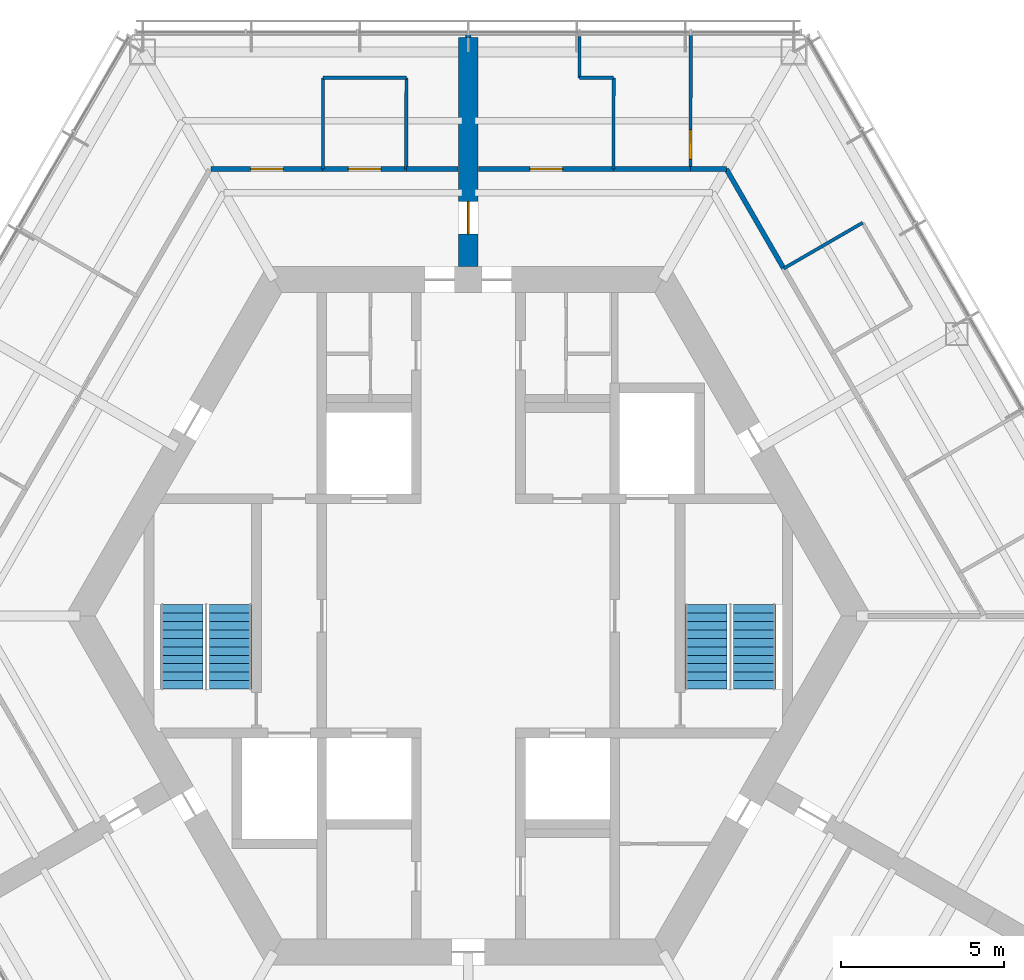
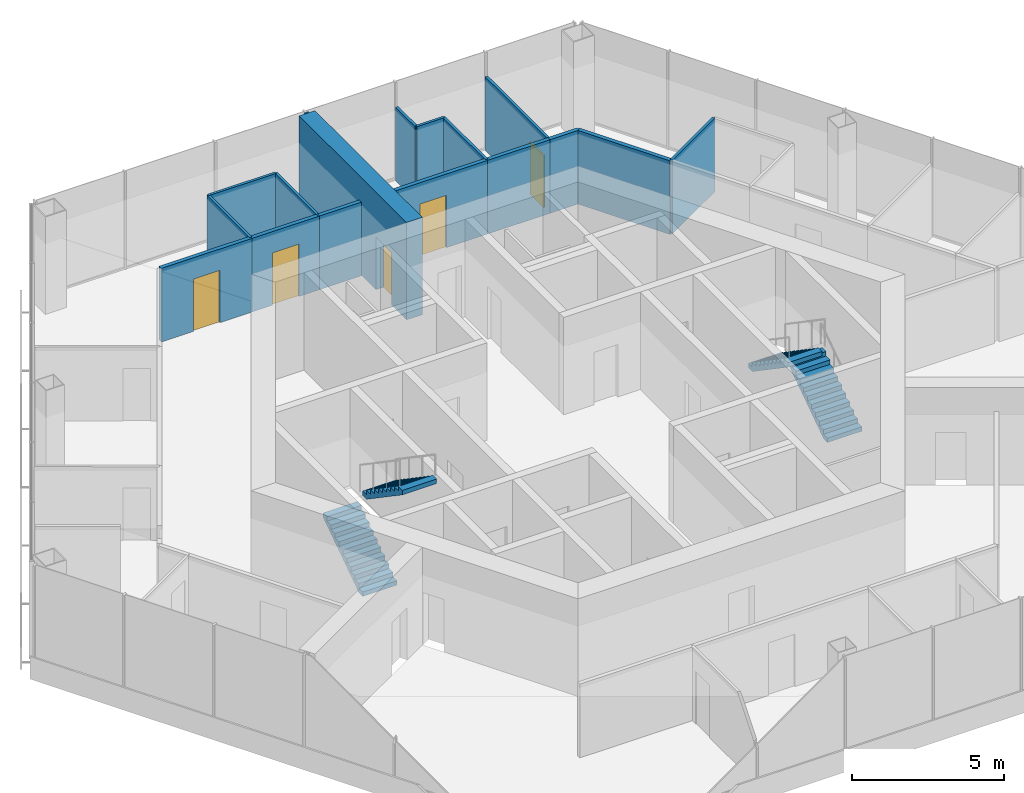
# One storey, part 10 of 13: 17 walls, 5 doors, 4 stair flights, 5 openings, 2 elements without a shape of their own.
"""IFC4 building model written with IfcOpenShell, lengths in metres."""

import ifcopenshell
import ifcopenshell.guid

model = None  # the IFC model being written
_history = None  # IfcOwnerHistory: only IFC2X3 demands one
_inside = {}  # id of a spatial element -> (the spatial element, [elements in it])
_under = {}  # id of a project, library or spatial element -> (it, [spatial elements below it])
_declared = {}  # id of a project -> (the project, [libraries it declares])
_typed = {}  # id of a type object -> (the type object, [elements of that type])
_made_of = {}  # id of a material, layer set ... -> (it, [elements and type objects made of it])


def new_model(schema):
    """Start an empty IFC model of exactly this schema.

    Asked for "IFC4X3", IfcOpenShell would pick the latest addendum, in which some entities
    have other attributes; the version numbers below select the first issue.
    IFC2X3 requires an IfcOwnerHistory on every rooted entity: one is made here for all.
    """
    global model, _history
    if schema == "IFC4X3":
        model = ifcopenshell.file(schema_version=(4, 3, 0, 0))
    else:
        model = ifcopenshell.file(schema=schema)
    _inside.clear()
    _under.clear()
    _declared.clear()
    _typed.clear()
    _made_of.clear()
    _history = None
    if model.schema == "IFC2X3":
        org = make("IfcOrganization", Name="unknown")
        user = make(
            "IfcPersonAndOrganization",
            ThePerson=make("IfcPerson", FamilyName="unknown"),
            TheOrganization=org,
        )
        app = make(
            "IfcApplication",
            ApplicationDeveloper=org,
            Version="unknown",
            ApplicationFullName="unknown",
            ApplicationIdentifier="unknown",
        )
        _history = make(
            "IfcOwnerHistory",
            OwningUser=user,
            OwningApplication=app,
            ChangeAction="ADDED",
            CreationDate=0,
        )
    return model


def make(cls, **values):
    """One entity of the class cls with the attributes given. An attribute that is None is left unset."""
    return model.create_entity(
        cls, **{name: value for name, value in values.items() if value is not None}
    )


def rooted(cls, **values):
    """An entity with a GlobalId (a new one), such as an element, a storey or a relation."""
    return make(cls, GlobalId=ifcopenshell.guid.new(), OwnerHistory=_history, **values)


def si_unit(unit_type, name, prefix=None):
    """IfcSIUnit, for example si_unit("LENGTHUNIT", "METRE", prefix="MILLI")."""
    return make("IfcSIUnit", UnitType=unit_type, Prefix=prefix, Name=name)


def assignment(units):
    """IfcUnitAssignment: the units of a project."""
    return None if units is None else make("IfcUnitAssignment", Units=units)


def point(xyz):
    """IfcCartesianPoint."""
    return None if xyz is None else make("IfcCartesianPoint", Coordinates=xyz)


def direction(xyz):
    """IfcDirection."""
    return None if xyz is None else make("IfcDirection", DirectionRatios=xyz)


def frame(location, z_axis=None, x_axis=None):
    """IfcAxis2Placement3D, a coordinate frame: its origin and axes. An axis left out is left unset."""
    return make(
        "IfcAxis2Placement3D",
        Location=point(location),
        Axis=direction(z_axis),
        RefDirection=direction(x_axis),
    )


def frame_2d(location, x_axis=None):
    """IfcAxis2Placement2D, a coordinate frame in the plane: its origin and x axis."""
    return make(
        "IfcAxis2Placement2D", Location=point(location), RefDirection=direction(x_axis)
    )


def origin():
    """The frame at (0, 0, 0) with its axes left unset."""
    return frame((0.0, 0.0, 0.0))


def place(relative_to, where):
    """IfcLocalPlacement: puts the frame where relative to a parent placement (None: the world)."""
    return make(
        "IfcLocalPlacement", PlacementRelTo=relative_to, RelativePlacement=where
    )


def context(
    kind, dimensions, precision=None, world=None, true_north=None, identifier=None
):
    """IfcGeometricRepresentationContext, for example the 3D "Model" context."""
    return make(
        "IfcGeometricRepresentationContext",
        ContextIdentifier=identifier,
        ContextType=kind,
        CoordinateSpaceDimension=dimensions,
        Precision=precision,
        WorldCoordinateSystem=world,
        TrueNorth=true_north,
    )


def subcontext(parent, identifier, kind, view, scale=None):
    """IfcGeometricRepresentationSubContext, for example "Body" below "Model"."""
    return make(
        "IfcGeometricRepresentationSubContext",
        ContextIdentifier=identifier,
        ContextType=kind,
        ParentContext=parent,
        TargetScale=scale,
        TargetView=view,
    )


def project(units=None, contexts=None):
    """IfcProject with its units and contexts."""
    return rooted(
        "IfcProject",
        Name="project",
        RepresentationContexts=contexts,
        UnitsInContext=assignment(units),
    )


def spatial(cls, under=None, at=None, **own):
    """A site, building, storey or space (cls), placed at a placement, below another one or the project."""
    s = rooted(cls, ObjectPlacement=at, **own)
    if under is not None:
        _under.setdefault(under.id(), (under, []))[1].append(s)
    return s


def polyline(points):
    """IfcPolyline through the points."""
    return make("IfcPolyline", Points=[point(p) for p in points])


def profile(cls, at=None, kind="AREA", **sizes):
    """A parametric profile (cls). Its sizes go by their IFC names, for example OverallWidth=200.0."""
    return make(cls, ProfileType=kind, Position=at, **sizes)


def rectangle(**sizes):
    """IfcRectangleProfileDef."""
    return profile("IfcRectangleProfileDef", **sizes)


def outline(outer, holes=None, kind="AREA"):
    """IfcArbitraryClosedProfileDef: a profile drawn as a closed curve; with holes, ...WithVoids."""
    if holes is None:
        return make("IfcArbitraryClosedProfileDef", ProfileType=kind, OuterCurve=outer)
    return make(
        "IfcArbitraryProfileDefWithVoids",
        ProfileType=kind,
        OuterCurve=outer,
        InnerCurves=holes,
    )


def extrude(swept, where, along, depth):
    """IfcExtrudedAreaSolid: the profile swept, set in the frame where, extruded along a direction by depth."""
    return make(
        "IfcExtrudedAreaSolid",
        SweptArea=swept,
        Position=where,
        ExtrudedDirection=direction(along),
        Depth=depth,
    )


def shape(context_of_items, identifier, shape_type, items):
    """IfcShapeRepresentation: the items that make up one representation, for example the "Body"."""
    return make(
        "IfcShapeRepresentation",
        ContextOfItems=context_of_items,
        RepresentationIdentifier=identifier,
        RepresentationType=shape_type,
        Items=items,
    )


def material(Name=None, Category=None):
    """IfcMaterial."""
    return make("IfcMaterial", Name=Name, Category=Category)


def layer(
    of_material, thickness, ventilated=None, Name=None, Category=None, Priority=None
):
    """IfcMaterialLayer: one layer of a wall or slab, of a material (None: an air gap)."""
    return make(
        "IfcMaterialLayer",
        Material=of_material,
        LayerThickness=thickness,
        IsVentilated=ventilated,
        Name=Name,
        Category=Category,
        Priority=Priority,
    )


def layer_set(layers, Name=None):
    """IfcMaterialLayerSet."""
    return make("IfcMaterialLayerSet", MaterialLayers=layers, LayerSetName=Name)


def made_of(thing, what):
    """Note that an element or type object is made of a material, layer set ...; save() writes the relation."""
    if what is not None:
        _made_of.setdefault(what.id(), (what, []))[1].append(thing)
    return thing


def type_object(cls, material=None, **own):
    """A type object (cls), such as IfcWallType, which elements share."""
    return made_of(rooted(cls, **own), material)


def element(
    cls,
    number,
    at=None,
    inside=None,
    cuts=None,
    type_object=None,
    material=None,
    context=None,
    identifier="Body",
    shape_type=None,
    held_by="IfcProductDefinitionShape",
    body=None,
    shapes=None,
    **own,
):
    """One element of the class cls, such as IfcWall. Its Tag is "e" and its number.

    at: its placement. inside: the storey or other place that contains it. cuts: it is an
    opening in that element (IfcRelVoidsElement). A single representation is given by context,
    identifier, shape_type and body (its items); several are given by shapes. held_by: the class
    of the entity that holds the representations. save() writes the other relations.
    """
    e = rooted(cls, Tag="e%d" % number, ObjectPlacement=at, **own)
    if body is not None:
        shapes = [shape(context, identifier, shape_type, body)]
    if shapes is not None:
        e.Representation = make(held_by, Representations=shapes)
    if inside is not None:
        _inside.setdefault(inside.id(), (inside, []))[1].append(e)
    if cuts is not None:
        rooted(
            "IfcRelVoidsElement", RelatingBuildingElement=cuts, RelatedOpeningElement=e
        )
    if type_object is not None:
        _typed.setdefault(type_object.id(), (type_object, []))[1].append(e)
    return made_of(e, material)


def fill(opening, filler):
    """IfcRelFillsElement: the door or window that sits in an opening."""
    return rooted(
        "IfcRelFillsElement",
        RelatingOpeningElement=opening,
        RelatedBuildingElement=filler,
    )


def aggregate(whole, parts):
    """IfcRelAggregates: a whole, such as a stair, and the parts it consists of."""
    return rooted("IfcRelAggregates", RelatingObject=whole, RelatedObjects=parts)


def save(model, path):
    """Write the relations noted so far, then the file.

    IfcRelAggregates (storeys below a building ...), IfcRelContainedInSpatialStructure (elements
    in a storey), IfcRelDefinesByType, IfcRelAssociatesMaterial and IfcRelDeclares: one each for
    every whole, place, type object, material and project.
    """
    for whole, parts in _under.values():
        aggregate(whole, parts)
    for where, things in _inside.values():
        rooted(
            "IfcRelContainedInSpatialStructure",
            RelatedElements=things,
            RelatingStructure=where,
        )
    for kind, things in _typed.values():
        rooted("IfcRelDefinesByType", RelatedObjects=things, RelatingType=kind)
    for what, things in _made_of.values():
        rooted("IfcRelAssociatesMaterial", RelatedObjects=things, RelatingMaterial=what)
    for by, libraries in _declared.values():
        rooted("IfcRelDeclares", RelatingContext=by, RelatedDefinitions=libraries)
    model.write(path)


model = new_model("IFC4")

# Units and contexts
model_context = context("Model", 3, precision=1e-05, world=origin(), true_north=direction((0.0, 1.0)))
body_context = subcontext(model_context, "Body", "Model", "MODEL_VIEW")
ifc_project = project(units=[si_unit("LENGTHUNIT", "METRE"), si_unit("AREAUNIT", "SQUARE_METRE"), si_unit("VOLUMEUNIT", "CUBIC_METRE"), si_unit("PLANEANGLEUNIT", "RADIAN"), si_unit("MASSUNIT", "GRAM", prefix="KILO")], contexts=[model_context])

# Site, building, storey
site_placement = place(None, origin())
site = spatial("IfcSite", under=ifc_project, at=site_placement, CompositionType="ELEMENT")
building_placement = place(site_placement, origin())
building = spatial("IfcBuilding", under=site, at=building_placement, Name="Kasaneha Research Tower", CompositionType="ELEMENT")
storey_placement = place(building_placement, frame((0.0, 0.0, 279.10009765625)))
storey = spatial("IfcBuildingStorey", under=building, at=storey_placement, Name="L70", CompositionType="ELEMENT", Elevation=279.10009765625)

# Walls
ifc_material_1 = material(Name="Gypsum board on steel studs, one layer each side", Category="steel")
ifc_layer_1 = layer(ifc_material_1, 0.10009765625)
ifc_layer_set_1 = layer_set([ifc_layer_1], Name="Office partition 100")
wall_type_1 = type_object("IfcWallType", Name="Office partition 100", PredefinedType="PARTITIONING", material=ifc_layer_set_1)
wall_1_placement = place(storey_placement, frame((3.4150390625, 16.52490234375, 0.0), z_axis=(0.0, 0.0, 1.0), x_axis=(1.0, 0.0, 0.0)))
element("IfcWall", 1, at=wall_1_placement, inside=storey, type_object=wall_type_1, Name="Office partition FAE09 L70", PredefinedType="PARTITIONING", context=body_context, shape_type="SweptSolid", body=[
    extrude(rectangle(XDim=1.050048828125, YDim=0.10009765625, at=frame_2d((0.52490234375, 0.0))), origin(), (0.0, 0.0, 1.0), 2.949951171875),
])
wall_2_placement = place(storey_placement, frame((3.4150390625, 17.800537109375, 0.0), z_axis=(0.0, 0.0, 1.0), x_axis=(0.0, -1.0, 0.0)))
element("IfcWall", 2, at=wall_2_placement, inside=storey, type_object=wall_type_1, Name="Office partition FAE10 L70", PredefinedType="PARTITIONING", context=body_context, shape_type="SweptSolid", body=[
    extrude(rectangle(XDim=1.275634765625, YDim=0.10009765625, at=frame_2d((0.6376953125, 0.0))), origin(), (0.0, 0.0, 1.0), 2.949951171875),
])
wall_3_placement = place(storey_placement, frame((4.465087890625, 16.52490234375, 0.0), z_axis=(0.0, 0.0, 1.0), x_axis=(-0.00183117935, -0.99999832339, 0.0)))
element("IfcWall", 3, at=wall_3_placement, inside=storey, type_object=wall_type_1, Name="Office partition FAE11 L70", PredefinedType="PARTITIONING", context=body_context, shape_type="SweptSolid", body=[
    extrude(rectangle(XDim=2.7998046875, YDim=0.10009765625, at=frame_2d((1.39990234375, 0.0))), origin(), (0.0, 0.0, 1.0), 2.949951171875),
])
wall_4_placement = place(storey_placement, frame((9.6884765625, 10.669189453125, 0.0), z_axis=(0.0, 0.0, 1.0), x_axis=(0.865233198925, 0.501369635576, 0.0)))
element("IfcWall", 4, at=wall_4_placement, inside=storey, type_object=wall_type_1, Name="Office partition FAE12 L70", PredefinedType="PARTITIONING", context=body_context, shape_type="SweptSolid", body=[
    extrude(rectangle(XDim=2.800048828125, YDim=0.10009765625, at=frame_2d((1.39990234375, 0.0))), origin(), (0.0, 0.0, 1.0), 2.949951171875),
])

# Wall, opening, door
wall_5_placement = place(storey_placement, frame((6.8310546875, 17.83544921875, 0.0), z_axis=(0.0, 0.0, 1.0), x_axis=(-0.001128533375, -0.999999363206, 0.0)))
wall_5 = element("IfcWall", 5, at=wall_5_placement, inside=storey, type_object=wall_type_1, Name="Office partition FAE17 L70", PredefinedType="PARTITIONING", context=body_context, shape_type="SweptSolid", body=[
    extrude(rectangle(XDim=4.1103515625, YDim=0.10009765625, at=frame_2d((2.05517578125, 0.0))), origin(), (0.0, 0.0, 1.0), 2.949951171875),
])
opening_1_placement = place(wall_5_placement, frame((2.910400390625, 0.0, 0.0)))
opening_1 = element("IfcOpeningElement", 6, at=opening_1_placement, cuts=wall_5, Name="Opening L70-D31", PredefinedType="OPENING", context=body_context, shape_type="SweptSolid", body=[
    extrude(rectangle(XDim=0.89990234375, YDim=2.10009765625, at=frame_2d((0.449951171875, 1.050048828125))), frame((0.0, 0.06005859375, 0.0), z_axis=(0.0, -1.0, 0.0), x_axis=(1.0, 0.0, 0.0)), (0.0, 0.0, 1.0), 0.1201171875),
])
ifc_material_2 = material(Name="Timber veneer", Category="wood")
door_type_1 = type_object("IfcDoorType", Name="Office door 900x2100", OperationType="SINGLE_SWING_LEFT", PredefinedType="DOOR", material=ifc_material_2)
door_1_placement = place(opening_1_placement, origin())
door_1 = element("IfcDoor", 7, at=door_1_placement, inside=storey, type_object=door_type_1, Name="Manager's office door L70-D31", OperationType="SINGLE_SWING_RIGHT", OverallHeight=2.10009765625, OverallWidth=0.89990234375, PredefinedType="DOOR", context=body_context, shape_type="SweptSolid", body=[
    extrude(rectangle(XDim=0.89990234375, YDim=2.10009765625, at=frame_2d((0.449951171875, 1.050048828125))), frame((0.0, 0.02490234375, 0.0), z_axis=(0.0, -1.0, 0.0), x_axis=(1.0, 0.0, 0.0)), (0.0, 0.0, 1.0), 0.050048828125),
])
fill(opening_1, door_1)

# Walls
wall_6_placement = place(storey_placement, frame((-4.465087890625, 16.52490234375, 0.0), z_axis=(0.0, 0.0, 1.0), x_axis=(1.0, 0.0, 0.0)))
element("IfcWall", 8, at=wall_6_placement, inside=storey, type_object=wall_type_1, Name="Office partition FAW04 L70", PredefinedType="PARTITIONING", context=body_context, shape_type="SweptSolid", body=[
    extrude(rectangle(XDim=2.565185546875, YDim=0.10009765625, at=frame_2d((1.28271484375, 0.0))), origin(), (0.0, 0.0, 1.0), 2.949951171875),
])
for number, where, z_axis, x_axis, name in (
    (9, (-4.46044921875, 13.72509765625, 0.0), (0.0, 0.0, 1.0), (-0.001656781821, 0.999998627536, 0.0), "Office partition FAW05 L70"),
    (10, (-1.89990234375, 16.52490234375, 0.0), (0.0, 0.0, 1.0), (-0.001656781821, -0.999998627536, 0.0), "Office partition FAW06 L70"),
):
    element("IfcWall", number, at=place(storey_placement, frame(where, z_axis=z_axis, x_axis=x_axis)), inside=storey, type_object=wall_type_1, Name=name, PredefinedType="PARTITIONING", context=body_context, shape_type="SweptSolid", body=[
        extrude(rectangle(XDim=2.7998046875, YDim=0.10009765625, at=frame_2d((1.39990234375, 0.0))), origin(), (0.0, 0.0, 1.0), 2.949951171875),
    ])

# Wall, opening, door
ifc_material_3 = material(Name="Concrete Fc60", Category="concrete")
ifc_layer_2 = layer(ifc_material_3, 0.60009765625)
ifc_layer_set_2 = layer_set([ifc_layer_2], Name="Spine wall 600 Fc60")
wall_type_2 = type_object("IfcWallType", Name="Spine wall 600 Fc60", PredefinedType="SHEAR", material=ifc_layer_set_2)
wall_7_placement = place(storey_placement, frame((0.0, 10.72509765625, 0.0), z_axis=(0.0, 0.0, 1.0), x_axis=(0.0, 1.0, 0.0)))
wall_7 = element("IfcWall", 11, at=wall_7_placement, inside=storey, type_object=wall_type_2, Name="Spine wall A L70", PredefinedType="SHEAR", context=body_context, shape_type="SweptSolid", body=[
    extrude(rectangle(XDim=7.04541015625, YDim=0.60009765625, at=frame_2d((3.522705078125, 0.0))), origin(), (0.0, 0.0, 1.0), 3.89990234375),
])
opening_2_placement = place(wall_7_placement, frame((1.0, 0.0, 0.0)))
opening_2 = element("IfcOpeningElement", 12, at=opening_2_placement, cuts=wall_7, Name="Opening L70-D18", PredefinedType="OPENING", context=body_context, shape_type="SweptSolid", body=[
    extrude(rectangle(XDim=1.0, YDim=2.10009765625, at=frame_2d((0.5, 1.050048828125))), frame((0.0, 0.31005859375, 0.0), z_axis=(0.0, -1.0, 0.0), x_axis=(1.0, 0.0, 0.0)), (0.0, 0.0, 1.0), 0.6201171875),
])
ifc_material_4 = material(Name="Steel", Category="steel")
door_type_2 = type_object("IfcDoorType", Name="Specified fire door FD60 1000x2100", OperationType="NOTDEFINED", PredefinedType="DOOR", material=ifc_material_4)
door_2_placement = place(opening_2_placement, origin())
door_2 = element("IfcDoor", 13, at=door_2_placement, inside=storey, type_object=door_type_2, Name="Spine doorway A L70-D18", OperationType="SINGLE_SWING_LEFT", OverallHeight=2.10009765625, OverallWidth=1.0, PredefinedType="DOOR", context=body_context, shape_type="SweptSolid", body=[
    extrude(rectangle(XDim=1.0, YDim=2.10009765625, at=frame_2d((0.5, 1.050048828125))), frame((0.0, 0.02490234375, 0.0), z_axis=(0.0, -1.0, 0.0), x_axis=(1.0, 0.0, 0.0)), (0.0, 0.0, 1.0), 0.050048828125),
])
fill(opening_2, door_2)

ifc_material_5 = material(Name="Gypsum board on steel studs, two layers each side", Category="steel")
ifc_layer_3 = layer(ifc_material_5, 0.14990234375)
ifc_layer_set_3 = layer_set([ifc_layer_3], Name="Suite partition 150")
wall_type_3 = type_object("IfcWallType", Name="Suite partition 150", PredefinedType="PARTITIONING", material=ifc_layer_set_3)
wall_8_placement = place(storey_placement, frame((0.320068359375, 13.72509765625, 0.0), z_axis=(0.0, 0.0, 1.0), x_axis=(1.0, 0.0, 0.0)))
wall_8 = element("IfcWall", 14, at=wall_8_placement, inside=storey, type_object=wall_type_3, Name="Suite partition FAE01 L70", PredefinedType="PARTITIONING", context=body_context, shape_type="SweptSolid", body=[
    extrude(rectangle(XDim=4.14990234375, YDim=0.14990234375, at=frame_2d((2.074951171875, 0.0))), origin(), (0.0, 0.0, 1.0), 2.949951171875),
])
opening_3_placement = place(wall_8_placement, frame((1.574951171875, 0.0, 0.0)))
opening_3 = element("IfcOpeningElement", 15, at=opening_3_placement, cuts=wall_8, Name="Opening L70-D26", PredefinedType="OPENING", context=body_context, shape_type="SweptSolid", body=[
    extrude(rectangle(XDim=1.0, YDim=2.10009765625, at=frame_2d((0.5, 1.050048828125))), frame((0.0, 0.0849609375, 0.0), z_axis=(0.0, -1.0, 0.0), x_axis=(1.0, 0.0, 0.0)), (0.0, 0.0, 1.0), 0.169921875),
])
ifc_material_6 = material(Name="Steel", Category="steel")
door_type_3 = type_object("IfcDoorType", Name="Suite entrance door FD60 1000x2100", OperationType="NOTDEFINED", PredefinedType="DOOR", material=ifc_material_6)
door_3_placement = place(opening_3_placement, origin())
door_3 = element("IfcDoor", 16, at=door_3_placement, inside=storey, type_object=door_type_3, Name="Suite entrance door L70-D26", OperationType="SINGLE_SWING_RIGHT", OverallHeight=2.10009765625, OverallWidth=1.0, PredefinedType="DOOR", context=body_context, shape_type="SweptSolid", body=[
    extrude(rectangle(XDim=1.0, YDim=2.10009765625, at=frame_2d((0.5, 1.050048828125))), frame((0.0, 0.02490234375, 0.0), z_axis=(0.0, -1.0, 0.0), x_axis=(1.0, 0.0, 0.0)), (0.0, 0.0, 1.0), 0.050048828125),
])
fill(opening_3, door_3)

# Walls
wall_9_placement = place(storey_placement, frame((4.4599609375, 13.72509765625, 0.0), z_axis=(0.0, 0.0, 1.0), x_axis=(1.0, 0.0, 0.0)))
element("IfcWall", 17, at=wall_9_placement, inside=storey, type_object=wall_type_3, Name="Suite partition FAE04 L70", PredefinedType="PARTITIONING", context=body_context, shape_type="SweptSolid", body=[
    extrude(rectangle(XDim=2.3759765625, YDim=0.14990234375, at=frame_2d((1.18798828125, 0.0))), origin(), (0.0, 0.0, 1.0), 2.949951171875),
])
wall_10_placement = place(storey_placement, frame((6.826416015625, 13.72509765625, 0.0), z_axis=(0.0, 0.0, 1.0), x_axis=(1.0, 0.0, 0.0)))
element("IfcWall", 18, at=wall_10_placement, inside=storey, type_object=wall_type_3, Name="Suite partition FAE06 L70", PredefinedType="PARTITIONING", context=body_context, shape_type="SweptSolid", body=[
    extrude(rectangle(XDim=1.09765625, YDim=0.14990234375, at=frame_2d((0.548828125, 0.0))), origin(), (0.0, 0.0, 1.0), 2.949951171875),
])
wall_11_placement = place(storey_placement, frame((7.924072265625, 13.72509765625, 0.0), z_axis=(0.0, 0.0, 1.0), x_axis=(0.500015913693, -0.866016215815, 0.0)))
element("IfcWall", 19, at=wall_11_placement, inside=storey, type_object=wall_type_3, Name="Suite partition FAE07 L70", PredefinedType="PARTITIONING", context=body_context, shape_type="SweptSolid", body=[
    extrude(rectangle(XDim=3.52880859375, YDim=0.14990234375, at=frame_2d((1.764404296875, 0.0))), origin(), (0.0, 0.0, 1.0), 2.949951171875),
])

# Wall, opening, door
wall_12_placement = place(storey_placement, frame((-4.469970703125, 13.72509765625, 0.0), z_axis=(0.0, 0.0, 1.0), x_axis=(1.0, 0.0, 0.0)))
wall_12 = element("IfcWall", 20, at=wall_12_placement, inside=storey, type_object=wall_type_3, Name="Suite partition FAW01 L70", PredefinedType="PARTITIONING", context=body_context, shape_type="SweptSolid", body=[
    extrude(rectangle(XDim=2.574951171875, YDim=0.14990234375, at=frame_2d((1.28759765625, 0.0))), origin(), (0.0, 0.0, 1.0), 2.949951171875),
])
opening_4_placement = place(wall_12_placement, frame((0.78759765625, 0.0, 0.0)))
opening_4 = element("IfcOpeningElement", 21, at=opening_4_placement, cuts=wall_12, Name="Opening L70-D32", PredefinedType="OPENING", context=body_context, shape_type="SweptSolid", body=[
    extrude(rectangle(XDim=1.0, YDim=2.10009765625, at=frame_2d((0.5, 1.050048828125))), frame((0.0, 0.0849609375, 0.0), z_axis=(0.0, -1.0, 0.0), x_axis=(1.0, 0.0, 0.0)), (0.0, 0.0, 1.0), 0.169921875),
])
door_4_placement = place(opening_4_placement, origin())
door_4 = element("IfcDoor", 22, at=door_4_placement, inside=storey, type_object=door_type_3, Name="Suite entrance door L70-D32", OperationType="SINGLE_SWING_RIGHT", OverallHeight=2.10009765625, OverallWidth=1.0, PredefinedType="DOOR", context=body_context, shape_type="SweptSolid", body=[
    extrude(rectangle(XDim=1.0, YDim=2.10009765625, at=frame_2d((0.5, 1.050048828125))), frame((0.0, 0.02490234375, 0.0), z_axis=(0.0, -1.0, 0.0), x_axis=(1.0, 0.0, 0.0)), (0.0, 0.0, 1.0), 0.050048828125),
])
fill(opening_4, door_4)

wall_13_placement = place(storey_placement, frame((-7.90087890625, 13.72509765625, 0.0), z_axis=(0.0, 0.0, 1.0), x_axis=(1.0, 0.0, 0.0)))
wall_13 = element("IfcWall", 23, at=wall_13_placement, inside=storey, type_object=wall_type_3, Name="Suite partition FAW02 L70", PredefinedType="PARTITIONING", context=body_context, shape_type="SweptSolid", body=[
    extrude(rectangle(XDim=3.4404296875, YDim=0.14990234375, at=frame_2d((1.72021484375, 0.0))), origin(), (0.0, 0.0, 1.0), 2.949951171875),
])
opening_5_placement = place(wall_13_placement, frame((1.22021484375, 0.0, 0.0)))
opening_5 = element("IfcOpeningElement", 24, at=opening_5_placement, cuts=wall_13, Name="Opening L70-D33", PredefinedType="OPENING", context=body_context, shape_type="SweptSolid", body=[
    extrude(rectangle(XDim=1.0, YDim=2.10009765625, at=frame_2d((0.5, 1.050048828125))), frame((0.0, 0.0849609375, 0.0), z_axis=(0.0, -1.0, 0.0), x_axis=(1.0, 0.0, 0.0)), (0.0, 0.0, 1.0), 0.169921875),
])
door_5_placement = place(opening_5_placement, origin())
door_5 = element("IfcDoor", 25, at=door_5_placement, inside=storey, type_object=door_type_3, Name="Suite entrance door L70-D33", OperationType="SINGLE_SWING_RIGHT", OverallHeight=2.10009765625, OverallWidth=1.0, PredefinedType="DOOR", context=body_context, shape_type="SweptSolid", body=[
    extrude(rectangle(XDim=1.0, YDim=2.10009765625, at=frame_2d((0.5, 1.050048828125))), frame((0.0, 0.02490234375, 0.0), z_axis=(0.0, -1.0, 0.0), x_axis=(1.0, 0.0, 0.0)), (0.0, 0.0, 1.0), 0.050048828125),
])
fill(opening_5, door_5)

# Walls
wall_14_placement = place(storey_placement, frame((-1.904541015625, 13.72509765625, 0.0), z_axis=(0.0, 0.0, 1.0), x_axis=(1.0, 0.0, 0.0)))
element("IfcWall", 26, at=wall_14_placement, inside=storey, type_object=wall_type_3, Name="Suite partition FAW03 L70", PredefinedType="PARTITIONING", context=body_context, shape_type="SweptSolid", body=[
    extrude(rectangle(XDim=1.58447265625, YDim=0.14990234375, at=frame_2d((0.792236328125, 0.0))), origin(), (0.0, 0.0, 1.0), 2.949951171875),
])
ifc_material_7 = material(Name="Gypsum board on steel studs, two layers each side", Category="steel")
ifc_layer_4 = layer(ifc_material_7, 0.175048828125)
ifc_layer_set_4 = layer_set([ifc_layer_4], Name="Tenancy fire partition 175")
wall_type_4 = type_object("IfcWallType", Name="Tenancy fire partition 175", PredefinedType="PARTITIONING", material=ifc_layer_set_4)
wall_15_placement = place(storey_placement, frame((0.0, 17.7705078125, 0.0), z_axis=(0.0, 0.0, 1.0), x_axis=(0.0, 1.0, 0.0)))
element("IfcWall", 27, at=wall_15_placement, inside=storey, type_object=wall_type_4, Name="Spine wall closer SW4-600 L70", PredefinedType="PARTITIONING", context=body_context, shape_type="SweptSolid", body=[
    extrude(rectangle(XDim=0.06494140625, YDim=0.175048828125, at=frame_2d((0.032470703125, 0.0))), origin(), (0.0, 0.0, 1.0), 3.89990234375),
])

# Stair, stair flights
ifc_material_8 = material(Name="Concrete Fc24", Category="concrete")
stair_type = type_object("IfcStairType", Name="Half-turn stair 22 risers", PredefinedType="HALF_TURN_STAIR", material=ifc_material_8)
stair_1_placement = place(storey_placement, origin())
stair_1 = element("IfcStair", 28, at=stair_1_placement, inside=storey, type_object=stair_type, Name="Stair 1 L70", PredefinedType="HALF_TURN_STAIR")
ifc_material_9 = material(Name="Concrete Fc24", Category="concrete")
stair_flight_type = type_object("IfcStairFlightType", Name="Stair flight 11 risers 177.3", PredefinedType="STRAIGHT", material=ifc_material_9)
stair_flight_1_placement = place(storey_placement, frame((8.800048828125, -2.25, 0.0), z_axis=(0.0, 0.0, 1.0), x_axis=(0.0, 1.0, 0.0)))
stair_flight_1 = element("IfcStairFlight", 29, at=stair_flight_1_placement, type_object=stair_flight_type, Name="ST1-22R flight 1", NumberOfRisers=11, NumberOfTreads=10, PredefinedType="STRAIGHT", RiserHeight=0.177272727, TreadLength=0.26, context=body_context, shape_type="SweptSolid", body=[
    extrude(outline(polyline([(0.0, 0.0), (0.0, 0.17724609375), (0.260009765625, 0.17724609375), (0.260009765625, 0.3544921875), (0.52001953125, 0.3544921875), (0.52001953125, 0.53173828125), (0.780029296875, 0.53173828125), (0.780029296875, 0.708984375), (1.0400390625, 0.708984375), (1.0400390625, 0.886474609375), (1.300048828125, 0.886474609375), (1.300048828125, 1.063720703125), (1.56005859375, 1.063720703125), (1.56005859375, 1.240966796875), (1.820068359375, 1.240966796875), (1.820068359375, 1.418212890625), (2.080078125, 1.418212890625), (2.080078125, 1.595458984375), (2.340087890625, 1.595458984375), (2.340087890625, 1.772705078125), (2.60009765625, 1.772705078125), (2.60009765625, 1.949951171875), (2.60009765625, 1.59130859375), (0.26611328125, 0.0), (0.0, 0.0)])), frame((0.0, 0.64990234375, 0.0), z_axis=(0.0, -1.0, 0.0), x_axis=(1.0, 0.0, 0.0)), (0.0, 0.0, 1.0), 1.300048828125),
])
stair_flight_2_placement = place(storey_placement, frame((7.300048828125, 0.35009765625, 1.949951171875), z_axis=(0.0, 0.0, 1.0), x_axis=(0.0, -1.0, 0.0)))
stair_flight_2 = element("IfcStairFlight", 30, at=stair_flight_2_placement, type_object=stair_flight_type, Name="ST1-22R flight 2", NumberOfRisers=11, NumberOfTreads=10, PredefinedType="STRAIGHT", RiserHeight=0.177272727, TreadLength=0.26, context=body_context, shape_type="SweptSolid", body=[
    extrude(outline(polyline([(0.0, 0.0), (0.0, 0.17724609375), (0.260009765625, 0.17724609375), (0.260009765625, 0.3544921875), (0.52001953125, 0.3544921875), (0.52001953125, 0.53173828125), (0.780029296875, 0.53173828125), (0.780029296875, 0.708984375), (1.0400390625, 0.708984375), (1.0400390625, 0.886474609375), (1.300048828125, 0.886474609375), (1.300048828125, 1.063720703125), (1.56005859375, 1.063720703125), (1.56005859375, 1.240966796875), (1.820068359375, 1.240966796875), (1.820068359375, 1.418212890625), (2.080078125, 1.418212890625), (2.080078125, 1.595458984375), (2.340087890625, 1.595458984375), (2.340087890625, 1.772705078125), (2.60009765625, 1.772705078125), (2.60009765625, 1.949951171875), (2.60009765625, 1.59130859375), (0.26611328125, 0.0), (0.0, 0.0)])), frame((0.0, 0.64990234375, 0.0), z_axis=(0.0, -1.0, 0.0), x_axis=(1.0, 0.0, 0.0)), (0.0, 0.0, 1.0), 1.300048828125),
])
aggregate(stair_1, [stair_flight_1, stair_flight_2])

stair_2_placement = place(storey_placement, origin())
stair_2 = element("IfcStair", 31, at=stair_2_placement, inside=storey, type_object=stair_type, Name="Stair 2 L70", PredefinedType="HALF_TURN_STAIR")
stair_flight_3_placement = place(storey_placement, frame((-8.800048828125, -2.25, 0.0), z_axis=(0.0, 0.0, 1.0), x_axis=(0.0, 1.0, 0.0)))
stair_flight_3 = element("IfcStairFlight", 32, at=stair_flight_3_placement, type_object=stair_flight_type, Name="ST2-22R flight 1", NumberOfRisers=11, NumberOfTreads=10, PredefinedType="STRAIGHT", RiserHeight=0.177272727, TreadLength=0.26, context=body_context, shape_type="SweptSolid", body=[
    extrude(outline(polyline([(0.0, 0.0), (0.0, 0.17724609375), (0.260009765625, 0.17724609375), (0.260009765625, 0.3544921875), (0.52001953125, 0.3544921875), (0.52001953125, 0.53173828125), (0.780029296875, 0.53173828125), (0.780029296875, 0.708984375), (1.0400390625, 0.708984375), (1.0400390625, 0.886474609375), (1.300048828125, 0.886474609375), (1.300048828125, 1.063720703125), (1.56005859375, 1.063720703125), (1.56005859375, 1.240966796875), (1.820068359375, 1.240966796875), (1.820068359375, 1.418212890625), (2.080078125, 1.418212890625), (2.080078125, 1.595458984375), (2.340087890625, 1.595458984375), (2.340087890625, 1.772705078125), (2.60009765625, 1.772705078125), (2.60009765625, 1.949951171875), (2.60009765625, 1.59130859375), (0.26611328125, 0.0), (0.0, 0.0)])), frame((0.0, 0.64990234375, 0.0), z_axis=(0.0, -1.0, 0.0), x_axis=(1.0, 0.0, 0.0)), (0.0, 0.0, 1.0), 1.300048828125),
])
stair_flight_4_placement = place(storey_placement, frame((-7.300048828125, 0.35009765625, 1.949951171875), z_axis=(0.0, 0.0, 1.0), x_axis=(0.0, -1.0, 0.0)))
stair_flight_4 = element("IfcStairFlight", 33, at=stair_flight_4_placement, type_object=stair_flight_type, Name="ST2-22R flight 2", NumberOfRisers=11, NumberOfTreads=10, PredefinedType="STRAIGHT", RiserHeight=0.177272727, TreadLength=0.26, context=body_context, shape_type="SweptSolid", body=[
    extrude(outline(polyline([(0.0, 0.0), (0.0, 0.17724609375), (0.260009765625, 0.17724609375), (0.260009765625, 0.3544921875), (0.52001953125, 0.3544921875), (0.52001953125, 0.53173828125), (0.780029296875, 0.53173828125), (0.780029296875, 0.708984375), (1.0400390625, 0.708984375), (1.0400390625, 0.886474609375), (1.300048828125, 0.886474609375), (1.300048828125, 1.063720703125), (1.56005859375, 1.063720703125), (1.56005859375, 1.240966796875), (1.820068359375, 1.240966796875), (1.820068359375, 1.418212890625), (2.080078125, 1.418212890625), (2.080078125, 1.595458984375), (2.340087890625, 1.595458984375), (2.340087890625, 1.772705078125), (2.60009765625, 1.772705078125), (2.60009765625, 1.949951171875), (2.60009765625, 1.59130859375), (0.26611328125, 0.0), (0.0, 0.0)])), frame((0.0, 0.64990234375, 0.0), z_axis=(0.0, -1.0, 0.0), x_axis=(1.0, 0.0, 0.0)), (0.0, 0.0, 1.0), 1.300048828125),
])
aggregate(stair_2, [stair_flight_3, stair_flight_4])

save(model, "model.ifc")
